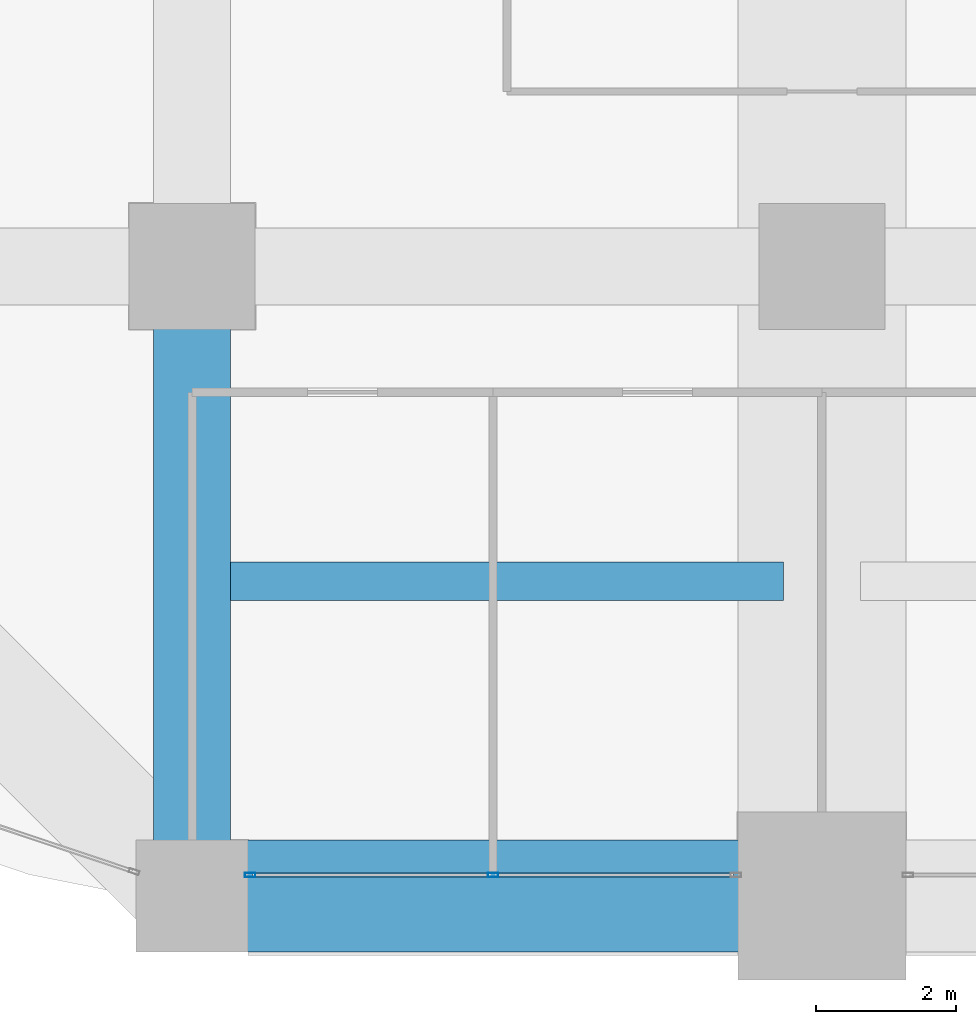
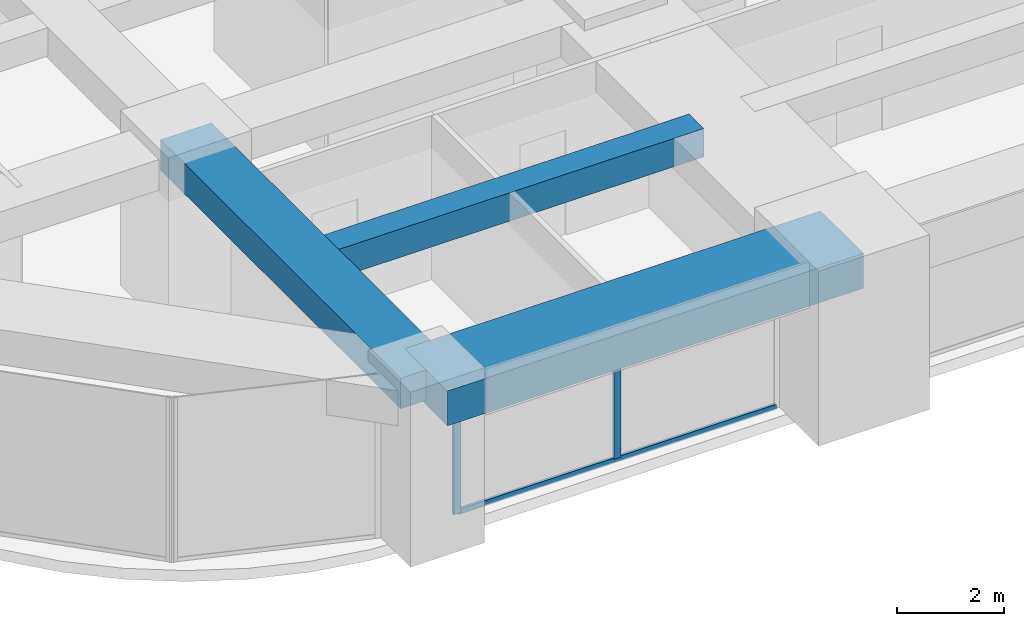
# One storey, part 3 of 43: 3 beams, 3 members, 1 element without a shape of its own.
"""IFC4 building model written with IfcOpenShell, lengths in metres."""

from ifc_helpers import new_model, si_unit, direction, frame, origin, origin_2d, place, context, subcontext, project, spatial, rectangle, hollow_rectangle, extrude, material, material_profile, profile_set, type_object, element, aggregate, save


model = new_model("IFC4")

# Units and contexts
model_context = context("Model", 3, precision=1e-05, world=origin(), true_north=direction((0.0, 1.0)))
body_context = subcontext(model_context, "Body", "Model", "MODEL_VIEW")
ifc_project = project(units=[si_unit("LENGTHUNIT", "METRE"), si_unit("AREAUNIT", "SQUARE_METRE"), si_unit("VOLUMEUNIT", "CUBIC_METRE"), si_unit("PLANEANGLEUNIT", "RADIAN"), si_unit("MASSUNIT", "GRAM", prefix="KILO")], contexts=[model_context])

# Site, building, storey
site_placement = place(None, origin())
site = spatial("IfcSite", under=ifc_project, at=site_placement, CompositionType="ELEMENT")
building_placement = place(site_placement, origin())
building = spatial("IfcBuilding", under=site, at=building_placement, Name="Zorevar Civic Tower", CompositionType="ELEMENT")
storey_placement = place(building_placement, frame((0.0, 0.0, 141.0)))
storey = spatial("IfcBuildingStorey", under=building, at=storey_placement, Name="L34", CompositionType="ELEMENT", Elevation=141.0)

# Beams
ifc_material_1 = material(Name="Concrete C50/60", Category="concrete")
ifc_material_profile_1 = material_profile(ifc_material_1, rectangle(XDim=1.10009765625, YDim=0.699951171875, at=origin_2d()), Name="RC 1100x700")
ifc_profile_set_1 = profile_set([ifc_material_profile_1], Name="Concrete C50/60")
beam_type_1 = type_object("IfcBeamType", Name="Beam RC 1100x700", PredefinedType="BEAM", material=ifc_profile_set_1)
beam_1_placement = place(storey_placement, frame((9.0, 0.0, 3.39990234375), z_axis=(0.0, 1.0, 0.0), x_axis=(-1.0, 0.0, 0.0)))
element("IfcBeam", 1, at=beam_1_placement, inside=storey, type_object=beam_type_1, Name="Girder L35", PredefinedType="BEAM", context=body_context, shape_type="SweptSolid", body=[
    extrude(rectangle(XDim=1.10009765625, YDim=0.699951171875, at=origin_2d()), origin(), (0.0, 0.0, 1.0), 9.0),
])
ifc_material_2 = material(Name="Concrete C50/60", Category="concrete")
ifc_material_profile_2 = material_profile(ifc_material_2, rectangle(XDim=0.550048828125, YDim=0.64990234375, at=origin_2d()), Name="RC 550x650")
ifc_profile_set_2 = profile_set([ifc_material_profile_2], Name="Concrete C50/60")
beam_type_2 = type_object("IfcBeamType", Name="Beam RC 550x650", PredefinedType="BEAM", material=ifc_profile_set_2)
beam_2_placement = place(storey_placement, frame((9.550048828125, 4.5, 3.425048828125), z_axis=(1.0, 0.0, 0.0), x_axis=(0.0, 1.0, 0.0)))
element("IfcBeam", 2, at=beam_2_placement, inside=storey, type_object=beam_type_2, Name="Secondary beam L35", PredefinedType="BEAM", context=body_context, shape_type="SweptSolid", body=[
    extrude(rectangle(XDim=0.550048828125, YDim=0.64990234375, at=origin_2d()), origin(), (0.0, 0.0, 1.0), 7.89990234375),
])

# Curtain wall, members
ifc_material_3 = material(Name="Dark grey solar-control glass in black aluminium frame", Category="aluminium")
curtain_wall_type = type_object("IfcCurtainWallType", Name="Curtain wall CW3 mid zone", PredefinedType="NOTDEFINED", material=ifc_material_3)
curtain_wall_placement = place(storey_placement, origin())
curtain_wall = element("IfcCurtainWall", 3, at=curtain_wall_placement, inside=storey, type_object=curtain_wall_type, Name="CW3 L34", PredefinedType="NOTDEFINED")
ifc_material_4 = material(Name="Aluminium, black anodised", Category="aluminium")
ifc_material_profile_3 = material_profile(ifc_material_4, hollow_rectangle(XDim=0.06005859375, YDim=0.14990234375, WallThickness=0.00390625, at=origin_2d()), Name="AL 150x60x4")
ifc_profile_set_3 = profile_set([ifc_material_profile_3], Name="Aluminium, black anodised")
member_type_1 = type_object("IfcMemberType", Name="CW3 mullion AL 150x60x4", PredefinedType="MULLION", material=ifc_profile_set_3)
member_1_placement = place(storey_placement, frame((9.830078125, 0.300048828125, 0.0), z_axis=(0.0, 0.0, 1.0), x_axis=(0.0, 1.0, 0.0)))
member_1 = element("IfcMember", 4, at=member_1_placement, type_object=member_type_1, Name="CW3 mullion 1", PredefinedType="MULLION", context=body_context, shape_type="SweptSolid", body=[
    extrude(hollow_rectangle(XDim=0.06005859375, YDim=0.14990234375, WallThickness=0.00390625, at=origin_2d()), origin(), (0.0, 0.0, 1.0), 2.949951171875),
])
member_2_placement = place(storey_placement, frame((13.300048828125, 0.300048828125, 0.06005859375), z_axis=(0.0, 0.0, 1.0), x_axis=(0.0, 1.0, 0.0)))
member_2 = element("IfcMember", 5, at=member_2_placement, type_object=member_type_1, Name="CW3 mullion 2", PredefinedType="MULLION", context=body_context, shape_type="SweptSolid", body=[
    extrude(hollow_rectangle(XDim=0.06005859375, YDim=0.14990234375, WallThickness=0.00390625, at=origin_2d()), origin(), (0.0, 0.0, 1.0), 2.889892578125),
])
ifc_material_5 = material(Name="Aluminium, black anodised", Category="aluminium")
ifc_material_profile_4 = material_profile(ifc_material_5, hollow_rectangle(XDim=0.06005859375, YDim=0.1201171875, WallThickness=0.0029296875, at=origin_2d()), Name="AL 120x60x3")
ifc_profile_set_4 = profile_set([ifc_material_profile_4], Name="Aluminium, black anodised")
member_type_2 = type_object("IfcMemberType", Name="CW3 transom AL 120x60x3", PredefinedType="USERDEFINED", material=ifc_profile_set_4)
member_3_placement = place(storey_placement, frame((9.860107421875, 0.300048828125, 0.030029296875), z_axis=(1.0, 0.0, 0.0), x_axis=(0.0, 1.0, 0.0)))
member_3 = element("IfcMember", 6, at=member_3_placement, type_object=member_type_2, Name="CW3 sill transom", ObjectType="TRANSOM", PredefinedType="USERDEFINED", context=body_context, shape_type="SweptSolid", body=[
    extrude(hollow_rectangle(XDim=0.06005859375, YDim=0.1201171875, WallThickness=0.0029296875, at=origin_2d()), origin(), (0.0, 0.0, 1.0), 6.8798828125),
])
aggregate(curtain_wall, [member_1, member_2, member_3])

# Beam
ifc_material_6 = material(Name="Concrete C50/60", Category="concrete")
ifc_material_profile_5 = material_profile(ifc_material_6, rectangle(XDim=1.60009765625, YDim=0.800048828125, at=origin_2d()), Name="RC 1600x800")
ifc_profile_set_5 = profile_set([ifc_material_profile_5], Name="Concrete C50/60")
beam_type_3 = type_object("IfcBeamType", Name="Edge beam RC 1600x800", PredefinedType="SPANDREL", material=ifc_profile_set_5)
beam_3_placement = place(storey_placement, frame((9.0, 0.0, 3.35009765625), z_axis=(1.0, 0.0, 0.0), x_axis=(0.0, 1.0, 0.0)))
element("IfcBeam", 7, at=beam_3_placement, inside=storey, type_object=beam_type_3, Name="Edge beam L35", PredefinedType="SPANDREL", context=body_context, shape_type="SweptSolid", body=[
    extrude(rectangle(XDim=1.60009765625, YDim=0.800048828125, at=origin_2d()), origin(), (0.0, 0.0, 1.0), 9.0),
])

save(model, "model.ifc")
